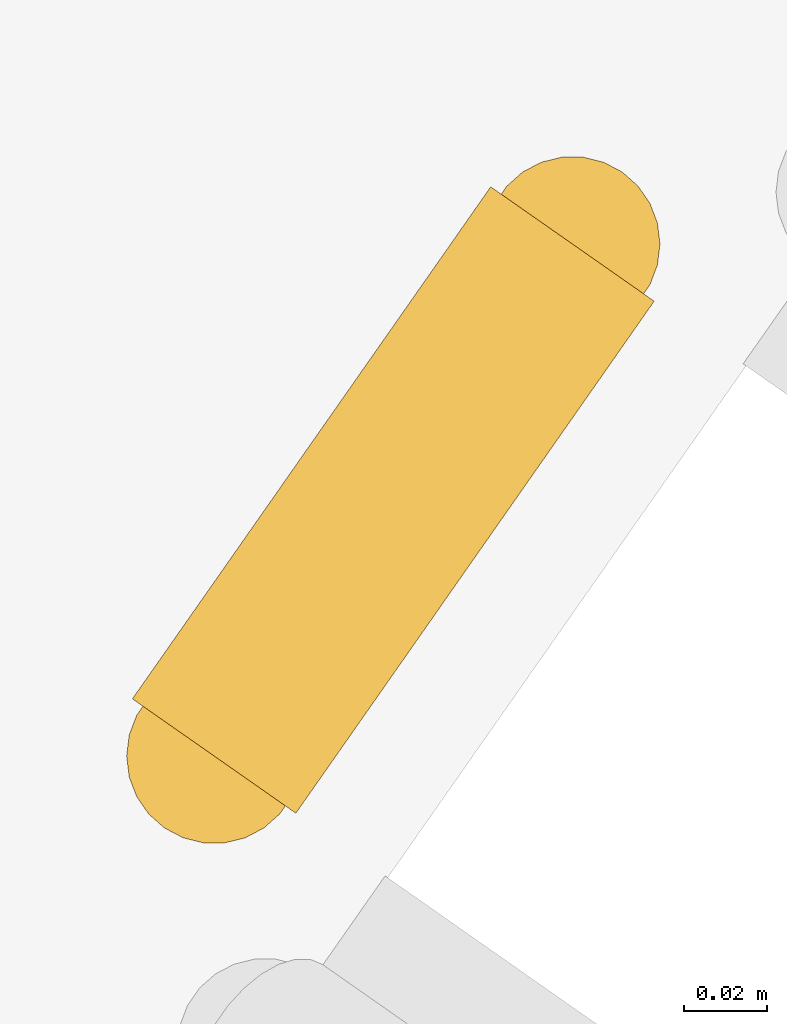
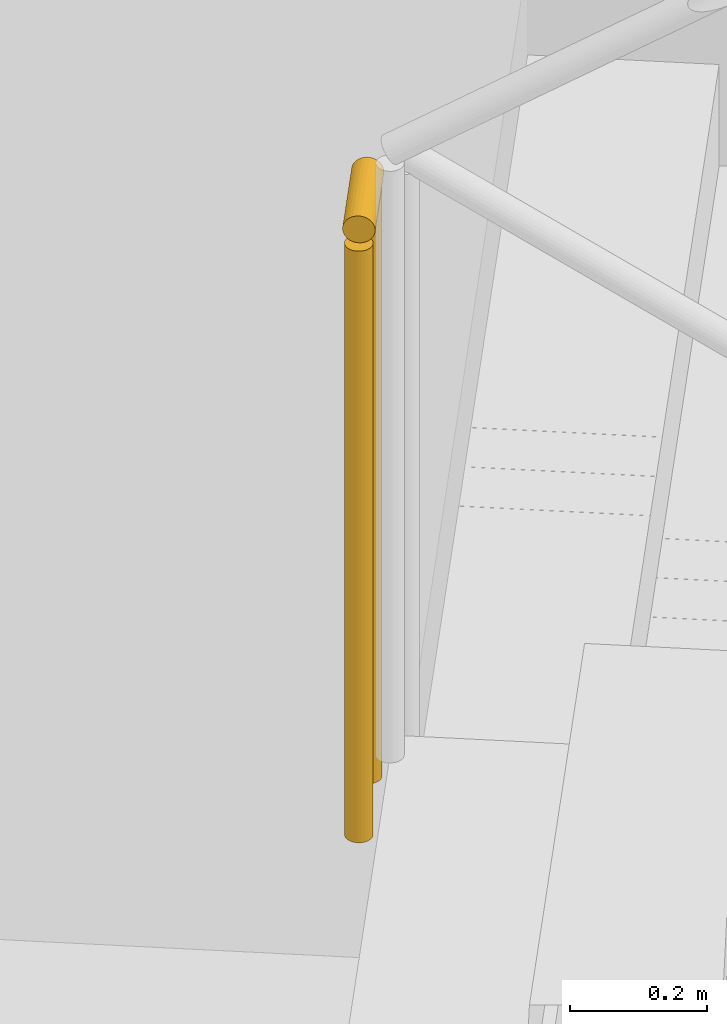
# One storey, part 22 of 24: 1 railing.
"""IFC4 building model written with IfcOpenShell, lengths in metres."""

from ifc_helpers import new_model, si_unit, direction, frame, origin, origin_2d, place, context, subcontext, project, spatial, circle, extrude, material, type_object, element, save


model = new_model("IFC4")

# Units and contexts
model_context = context("Model", 3, precision=1e-05, world=origin(), true_north=direction((0.0, 1.0)))
body_context = subcontext(model_context, "Body", "Model", "MODEL_VIEW")
ifc_project = project(units=[si_unit("LENGTHUNIT", "METRE"), si_unit("AREAUNIT", "SQUARE_METRE"), si_unit("VOLUMEUNIT", "CUBIC_METRE"), si_unit("PLANEANGLEUNIT", "RADIAN"), si_unit("MASSUNIT", "GRAM", prefix="KILO")], contexts=[model_context])

# Site, building, storey
site_placement = place(None, origin())
site = spatial("IfcSite", under=ifc_project, at=site_placement, CompositionType="ELEMENT")
building_placement = place(site_placement, origin())
building = spatial("IfcBuilding", under=site, at=building_placement, Name="Tel Ilan Convention Tower", CompositionType="ELEMENT")
storey_placement = place(building_placement, frame((0.0, 0.0, 90.5)))
storey = spatial("IfcBuildingStorey", under=building, at=storey_placement, Name="L18", CompositionType="ELEMENT", Elevation=90.5)

# Railing
ifc_material = material(Name="Stainless Steel Grade 316", Category="steel")
railing_type = type_object("IfcRailingType", Name="Stainless Steel Stair Guard 1100 mm", PredefinedType="GUARDRAIL", material=ifc_material)
railing_placement = place(storey_placement, frame((18.762939453125, -10.391357421875, 1.800048828125)))
element("IfcRailing", 1, at=railing_placement, inside=storey, type_object=railing_type, Name="L18 S4 stair guard 2", PredefinedType="GUARDRAIL", context=body_context, shape_type="SweptSolid", body=[
    extrude(circle(Radius=0.02392578125, at=origin_2d()), frame((0.0, 0.0, 1.076171875), z_axis=(-0.573353020881, -0.819308436089, 0.0), x_axis=(0.819308436089, -0.573353020881, 0.0)), (0.0, 0.0, 1.0), 0.14990234375),
    extrude(circle(Radius=0.02099609375, at=origin_2d()), origin(), (0.0, 0.0, 1.0), 1.052001953125),
    extrude(circle(Radius=0.02099609375, at=origin_2d()), frame((-0.0859375, -0.122802734375, 0.0)), (0.0, 0.0, 1.0), 1.052001953125),
])

save(model, "model.ifc")
